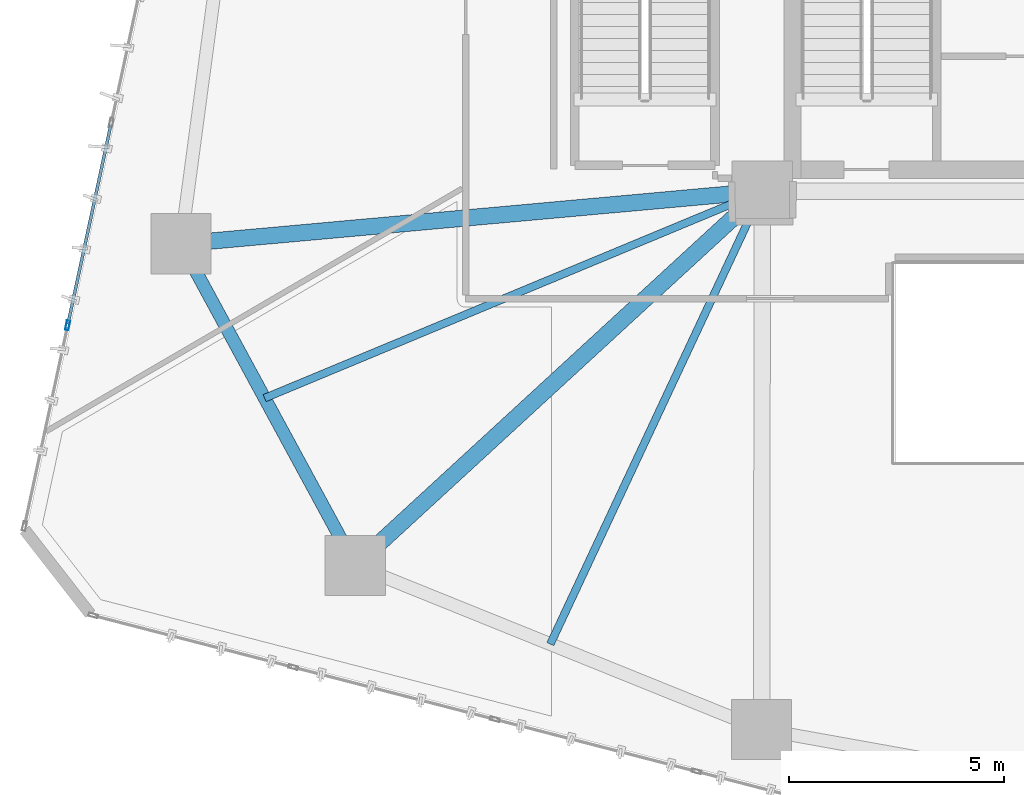
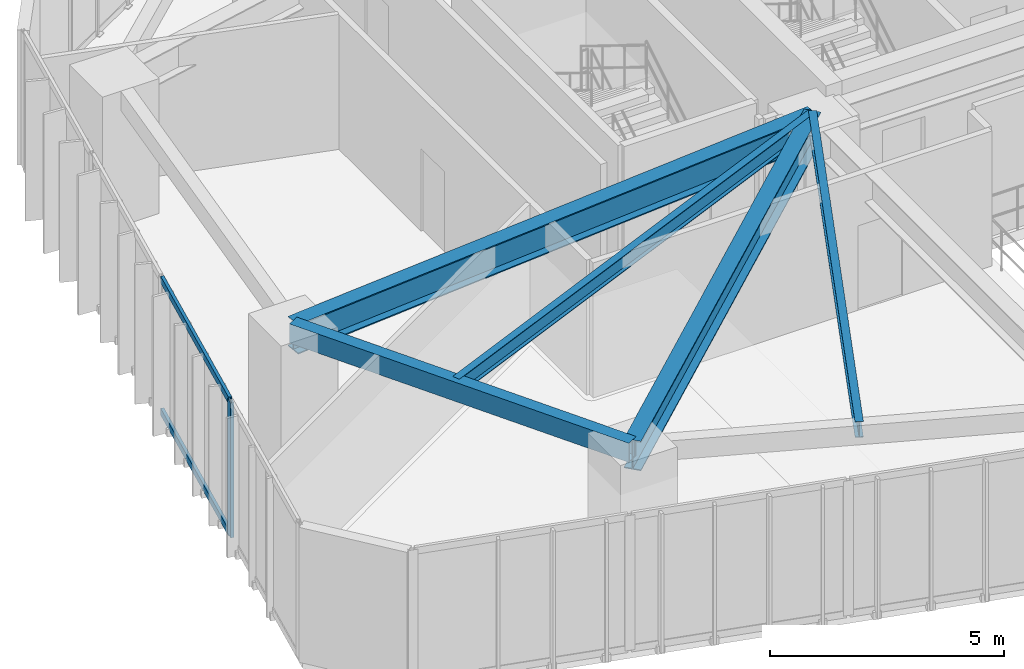
# One storey, part 3 of 23: 5 beams, 3 members, 1 element without a shape of its own.
"""IFC4 building model written with IfcOpenShell, lengths in metres."""

from ifc_helpers import new_model, si_unit, direction, frame, origin, origin_2d, place, context, subcontext, project, spatial, hollow_rectangle, i_section, extrude, source, transform, mapped, material, layer, layer_set, material_profile, profile_set, type_object, type_shapes, element, aggregate, save


model = new_model("IFC4")

# Units and contexts
model_context = context("Model", 3, precision=1e-05, world=origin(), true_north=direction((0.0, 1.0)))
body_context = subcontext(model_context, "Body", "Model", "MODEL_VIEW")
ifc_project = project(units=[si_unit("LENGTHUNIT", "METRE"), si_unit("AREAUNIT", "SQUARE_METRE"), si_unit("VOLUMEUNIT", "CUBIC_METRE"), si_unit("PLANEANGLEUNIT", "RADIAN"), si_unit("MASSUNIT", "GRAM", prefix="KILO")], contexts=[model_context])

# Site, building, storey
site_placement = place(None, origin())
site = spatial("IfcSite", under=ifc_project, at=site_placement, CompositionType="ELEMENT")
building_placement = place(site_placement, origin())
building = spatial("IfcBuilding", under=site, at=building_placement, Name="Talar Marvaseh", CompositionType="ELEMENT")
storey_placement = place(building_placement, frame((0.0, 0.0, 46.800048828125)))
storey = spatial("IfcBuildingStorey", under=building, at=storey_placement, Name="L11", CompositionType="ELEMENT", Elevation=46.800048828125)

# Beams
ifc_material_1 = material(Name="Steel S355", Category="steel")
ifc_material_profile_1 = material_profile(ifc_material_1, hollow_rectangle(XDim=0.300048828125, YDim=0.5, WallThickness=0.02001953125, at=origin_2d()), Name="RHS500x300x20")
ifc_profile_set_1 = profile_set([ifc_material_profile_1], Name="Steel S355")
beam_type_1 = type_object("IfcBeamType", Name="Zone 1 Perimeter Spandrel Beam RHS500x300x20", PredefinedType="SPANDREL", material=ifc_profile_set_1)
beam_1_placement = place(storey_placement, frame((9.23193359375, 16.7958984375, 3.27001953125), z_axis=(-0.476758155578, 0.879034505062, 0.0), x_axis=(-0.879034505062, -0.476758155578, 0.0)))
element("IfcBeam", 1, at=beam_1_placement, inside=storey, type_object=beam_type_1, Name="L11 Zone 1 Perimeter Spandrel Beam RHS500x300x20", PredefinedType="SPANDREL", context=body_context, shape_type="SweptSolid", body=[
    extrude(hollow_rectangle(XDim=0.300048828125, YDim=0.5, WallThickness=0.02001953125, at=origin_2d()), origin(), (0.0, 0.0, 1.0), 8.50927734375),
])
ifc_material_profile_2 = material_profile(ifc_material_1, i_section(OverallWidth=0.381103515625, OverallDepth=0.77294921875, WebThickness=0.0166015625, FlangeThickness=0.027099609375, at=origin_2d()), Name="W760x257")
ifc_profile_set_2 = profile_set([ifc_material_profile_2], Name="Steel S355")
beam_type_2 = type_object("IfcBeamType", Name="Zone 1 Radial Floor Girder W760x257", PredefinedType="BEAM", material=ifc_profile_set_2)
beam_2_placement = place(storey_placement, frame((9.23193359375, 16.7958984375, 3.133544921875), z_axis=(0.736181804049, 0.676783829142, 0.0), x_axis=(-0.676783829142, 0.736181804049, 0.0)))
element("IfcBeam", 2, at=beam_2_placement, inside=storey, type_object=beam_type_2, Name="L11 Zone 1 Radial Floor Girder W760x257", PredefinedType="BEAM", context=body_context, shape_type="SweptSolid", body=[
    extrude(i_section(OverallWidth=0.381103515625, OverallDepth=0.77294921875, WebThickness=0.0166015625, FlangeThickness=0.027099609375, at=origin_2d()), origin(), (0.0, 0.0, 1.0), 12.861083984375),
])
beam_3_placement = place(storey_placement, frame((5.175048828125, 24.27587890625, 3.133544921875), z_axis=(0.995929083348, 0.090140229321, 0.0), x_axis=(-0.090140229321, 0.995929083348, 0.0)))
element("IfcBeam", 3, at=beam_3_placement, inside=storey, type_object=beam_type_2, Name="L11 Zone 1 Radial Floor Girder W760x257", PredefinedType="BEAM", context=body_context, shape_type="SweptSolid", body=[
    extrude(i_section(OverallWidth=0.381103515625, OverallDepth=0.77294921875, WebThickness=0.0166015625, FlangeThickness=0.027099609375, at=origin_2d()), origin(), (0.0, 0.0, 1.0), 13.580078125),
])
ifc_material_profile_3 = material_profile(ifc_material_1, i_section(OverallWidth=0.179931640625, OverallDepth=0.4130859375, WebThickness=0.009765625, FlangeThickness=0.01611328125, at=origin_2d()), Name="W410x75")
ifc_profile_set_3 = profile_set([ifc_material_profile_3], Name="Steel S355")
beam_type_3 = type_object("IfcBeamType", Name="Zone 1 Secondary Floor Joist W410x75", PredefinedType="JOIST", material=ifc_profile_set_3)
beam_4_placement = place(storey_placement, frame((13.7685546875, 14.9638671875, 3.3134765625), z_axis=(0.423911170159, 0.905703770454, 0.0), x_axis=(-0.905703770454, 0.423911170159, 0.0)))
element("IfcBeam", 4, at=beam_4_placement, inside=storey, type_object=beam_type_3, Name="L11 Zone 1 Secondary Floor Joist W410x75", PredefinedType="JOIST", context=body_context, shape_type="SweptSolid", body=[
    extrude(i_section(OverallWidth=0.179931640625, OverallDepth=0.4130859375, WebThickness=0.009765625, FlangeThickness=0.01611328125, at=origin_2d()), origin(), (0.0, 0.0, 1.0), 11.633056640625),
])
beam_5_placement = place(storey_placement, frame((7.122314453125, 20.685546875, 3.3134765625), z_axis=(0.923347443105, 0.383965492346, 0.0), x_axis=(-0.383965492346, 0.923347443105, 0.0)))
element("IfcBeam", 5, at=beam_5_placement, inside=storey, type_object=beam_type_3, Name="L11 Zone 1 Secondary Floor Joist W410x75", PredefinedType="JOIST", context=body_context, shape_type="SweptSolid", body=[
    extrude(i_section(OverallWidth=0.179931640625, OverallDepth=0.4130859375, WebThickness=0.009765625, FlangeThickness=0.01611328125, at=origin_2d()), origin(), (0.0, 0.0, 1.0), 12.538818359375),
])

# Curtain wall, members
ifc_material_2 = material(Name="Architectural Aluminium", Category="aluminium")
ifc_layer = layer(ifc_material_2, 0.219970703125)
ifc_layer_set = layer_set([ifc_layer], Name="Architectural Aluminium")
curtain_wall_type = type_object("IfcCurtainWallType", Name="Unitised Low-E Museum Curtain Wall Z1", PredefinedType="NOTDEFINED", material=ifc_layer_set)
curtain_wall_placement = place(storey_placement, origin())
curtain_wall = element("IfcCurtainWall", 6, at=curtain_wall_placement, inside=storey, type_object=curtain_wall_type, Name="L11 Unitised Low-E Museum Curtain Wall Z1", PredefinedType="NOTDEFINED")
ifc_material_profile_4 = material_profile(ifc_material_2, hollow_rectangle(XDim=0.080078125, YDim=0.219970703125, WallThickness=0.0048828125, at=origin_2d()), Name="RHS220x80x5")
ifc_profile_set_4 = profile_set([ifc_material_profile_4], Name="Architectural Aluminium")
member_type_1 = type_object("IfcMemberType", Name="Unitised Curtain Wall Heavy Mullion RHS220x80x5", PredefinedType="MULLION", material=ifc_profile_set_4)
shared_shape_1 = source(origin(), body_context, "Body", "SweptSolid", [
    extrude(hollow_rectangle(XDim=0.080078125, YDim=0.219970703125, WallThickness=0.0048828125, at=origin_2d()), origin(), (0.0, 0.0, 1.0), 3.52001953125),
])
type_shapes(member_type_1, [shared_shape_1])
member_1_placement = place(storey_placement, frame((2.541259765625, 22.37841796875, 0.0), z_axis=(0.0, 0.0, 1.0), x_axis=(-0.977585873645, 0.210537074287, 0.0)))
member_1 = element("IfcMember", 7, at=member_1_placement, type_object=member_type_1, Name="CW-Z1 mullion 2", PredefinedType="MULLION", context=body_context, shape_type="MappedRepresentation", body=[
    mapped(shared_shape_1, transform((0.0, 0.0, 0.0), x_axis=(1.0, 0.0, 0.0), y_axis=(0.0, 1.0, 0.0), z_axis=(0.0, 0.0, 1.0), scale=1.0)),
])
ifc_material_profile_5 = material_profile(ifc_material_2, hollow_rectangle(XDim=0.074951171875, YDim=0.179931640625, WallThickness=0.0048828125, at=origin_2d()), Name="RHS180x75x5")
ifc_profile_set_5 = profile_set([ifc_material_profile_5], Name="Architectural Aluminium")
member_type_2 = type_object("IfcMemberType", Name="Unitised Curtain Wall Transom RHS180x75x5", PredefinedType="USERDEFINED", material=ifc_profile_set_5)
shared_shape_2 = source(origin(), body_context, "Body", "SweptSolid", [
    extrude(hollow_rectangle(XDim=0.074951171875, YDim=0.179931640625, WallThickness=0.0048828125, at=origin_2d()), origin(), (0.0, 0.0, 1.0), 4.736572265625),
])
type_shapes(member_type_2, [shared_shape_2])
member_2_placement = place(storey_placement, frame((2.5498046875, 22.41748046875, 0.037353515625), z_axis=(0.210507574226, 0.977592226439, 0.0), x_axis=(-0.977592226439, 0.210507574226, 0.0)))
member_2 = element("IfcMember", 8, at=member_2_placement, type_object=member_type_2, Name="CW-Z1 transom 2.1", ObjectType="TRANSOM", PredefinedType="USERDEFINED", context=body_context, shape_type="MappedRepresentation", body=[
    mapped(shared_shape_2, transform((0.0, 0.0, 0.0), x_axis=(1.0, 0.0, 0.0), y_axis=(0.0, 1.0, 0.0), z_axis=(0.0, 0.0, 1.0), scale=1.0)),
])
member_3_placement = place(storey_placement, frame((2.5498046875, 22.41748046875, 3.482421875), z_axis=(0.210507574226, 0.977592226439, 0.0), x_axis=(-0.977592226439, 0.210507574226, 0.0)))
member_3 = element("IfcMember", 9, at=member_3_placement, type_object=member_type_2, Name="CW-Z1 transom 2.2", ObjectType="TRANSOM", PredefinedType="USERDEFINED", context=body_context, shape_type="MappedRepresentation", body=[
    mapped(shared_shape_2, transform((0.0, 0.0, 0.0), x_axis=(1.0, 0.0, 0.0), y_axis=(0.0, 1.0, 0.0), z_axis=(0.0, 0.0, 1.0), scale=1.0)),
])
aggregate(curtain_wall, [member_1, member_2, member_3])

save(model, "model.ifc")
